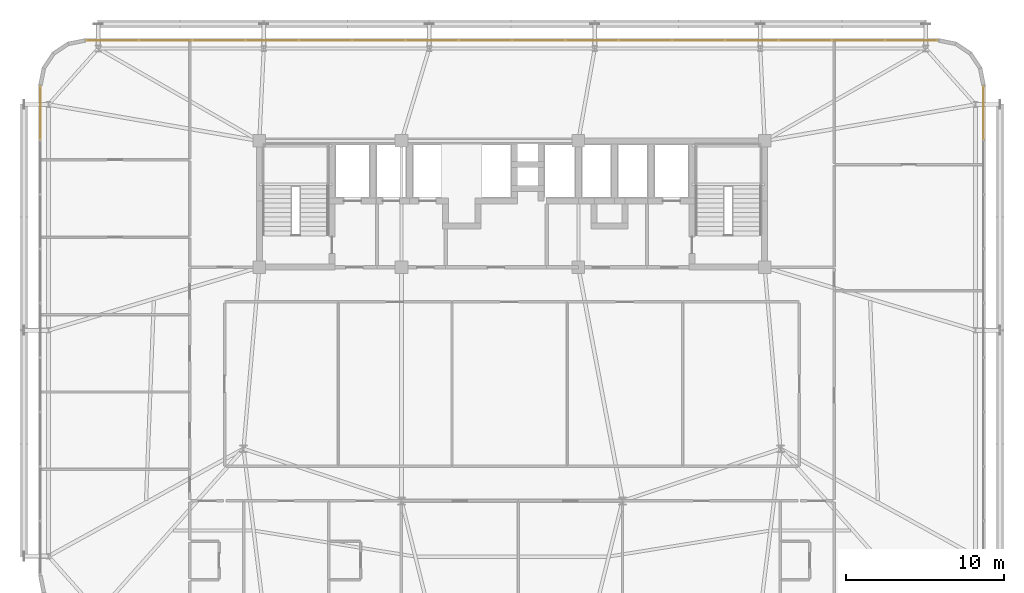
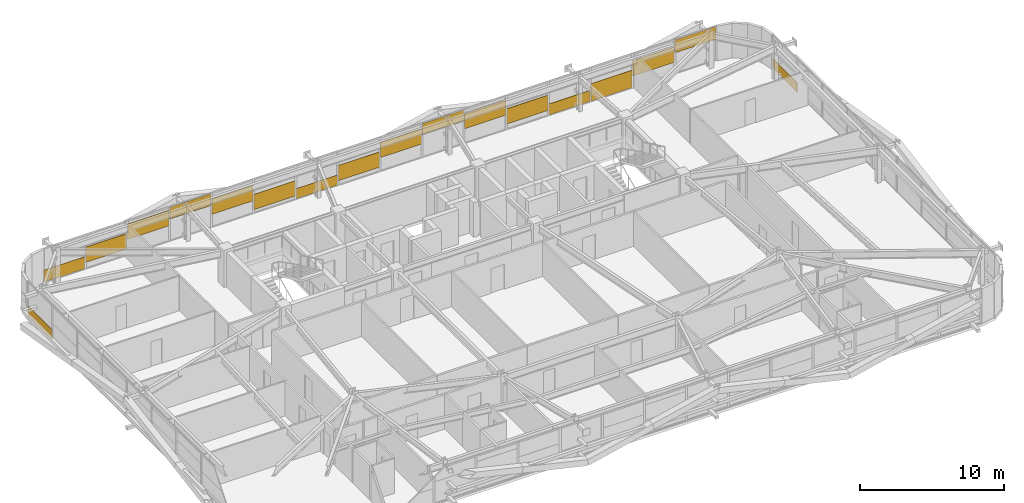
# One storey, part 58 of 58: 18 coverings.
"""IFC4 building model written with IfcOpenShell, lengths in metres."""

from ifc_helpers import new_model, si_unit, direction, frame, origin, origin_2d, place, context, subcontext, project, spatial, rectangle, extrude, source, transform, mapped, material, layer, layer_set, type_object, element, save


model = new_model("IFC4")

# Units and contexts
model_context = context("Model", 3, precision=1e-05, world=origin(), true_north=direction((0.0, 1.0)))
body_context = subcontext(model_context, "Body", "Model", "MODEL_VIEW")
ifc_project = project(units=[si_unit("LENGTHUNIT", "METRE"), si_unit("AREAUNIT", "SQUARE_METRE"), si_unit("VOLUMEUNIT", "CUBIC_METRE"), si_unit("PLANEANGLEUNIT", "RADIAN"), si_unit("MASSUNIT", "GRAM", prefix="KILO")], contexts=[model_context])

# Site, building, storey
site_placement = place(None, origin())
site = spatial("IfcSite", under=ifc_project, at=site_placement, CompositionType="ELEMENT")
building_placement = place(site_placement, origin())
building = spatial("IfcBuilding", under=site, at=building_placement, Name="Taldren Reach Tower", CompositionType="ELEMENT")
storey_placement = place(building_placement, frame((0.0, 0.0, 35.699951171875)))
storey = spatial("IfcBuildingStorey", under=building, at=storey_placement, Name="L10", CompositionType="ELEMENT", Elevation=35.699951171875)

# Coverings
ifc_material = material(Name="Pale Champagne Fluoropolymer Aluminium Spandrel Cladding", Category="aluminium")
ifc_layer = layer(ifc_material, 0.0439453125)
ifc_layer_set = layer_set([ifc_layer], Name="Pale Champagne Fluoropolymer Aluminium Spandrel Cladding")
covering_type = type_object("IfcCoveringType", Name="CV-CLAD-044", PredefinedType="CLADDING", material=ifc_layer_set)
shared_shape_1 = source(origin(), body_context, "Body", "SweptSolid", [
    extrude(rectangle(XDim=3.277587890625, YDim=0.0439453125, at=origin_2d()), origin(), (0.0, 0.0, 1.0), 1.081298828125),
])
covering_1_placement = place(storey_placement, frame((60.296142578125, 38.360107421875, 1.7939453125), z_axis=(0.0, 0.0, 1.0), x_axis=(-1.0, 0.0, 0.0)))
element("IfcCovering", 1, at=covering_1_placement, inside=storey, type_object=covering_type, Name="Diagrid closure cladding strip CW-2 panel 1.1 1", PredefinedType="CLADDING", context=body_context, shape_type="MappedRepresentation", body=[
    mapped(shared_shape_1, transform((0.0, 0.0, 0.0), scale=1.0)),
])
shared_shape_2 = source(origin(), body_context, "Body", "SweptSolid", [
    extrude(rectangle(XDim=3.31005859375, YDim=0.0439453125, at=origin_2d()), origin(), (0.0, 0.0, 1.0), 1.301025390625),
])
for number, where, z_axis, x_axis, name in (
    (2, (56.9375, 38.360107421875, 1.01123046875), (0.0, 0.0, 1.0), (-1.0, 0.0, 0.0), "Diagrid closure cladding strip CW-2 panel 2.1 1"),
    (3, (46.8125, 38.360107421875, 0.4755859375), (0.0, 0.0, 1.0), (-1.0, 0.0, 0.0), "Diagrid closure cladding strip CW-2 panel 5.1 1"),
    (4, (43.4375, 38.360107421875, 1.25830078125), (0.0, 0.0, 1.0), (-1.0, 0.0, 0.0), "Diagrid closure cladding strip CW-2 panel 6.1 1"),
    (5, (36.6875, 38.360107421875, 1.17578125), (0.0, 0.0, 1.0), (-1.0, 0.0, 0.0), "Diagrid closure cladding strip CW-2 panel 8.1 1"),
    (6, (33.3125, 38.360107421875, 0.39306640625), (0.0, 0.0, 1.0), (-1.0, 0.0, 0.0), "Diagrid closure cladding strip CW-2 panel 9.1 1"),
    (7, (26.5625, 38.360107421875, 0.31103515625), (0.0, 0.0, 1.0), (-1.0, 0.0, 0.0), "Diagrid closure cladding strip CW-2 panel 11.1 1"),
    (8, (23.1875, 38.360107421875, 1.09326171875), (0.0, 0.0, 1.0), (-1.0, 0.0, 0.0), "Diagrid closure cladding strip CW-2 panel 12.1 1"),
    (9, (16.4375, 38.360107421875, 1.34033203125), (0.0, 0.0, 1.0), (-1.0, 0.0, 0.0), "Diagrid closure cladding strip CW-2 panel 14.1 1"),
    (10, (13.0625, 38.360107421875, 0.55810546875), (0.0, 0.0, 1.0), (-1.0, 0.0, 0.0), "Diagrid closure cladding strip CW-2 panel 15.1 1"),
):
    element("IfcCovering", number, at=place(storey_placement, frame(where, z_axis=z_axis, x_axis=x_axis)), inside=storey, type_object=covering_type, Name=name, PredefinedType="CLADDING", context=body_context, shape_type="MappedRepresentation", body=[
        mapped(shared_shape_2, transform((0.0, 0.0, 0.0), scale=1.0)),
    ])
shared_shape_3 = source(origin(), body_context, "Body", "SweptSolid", [
    extrude(rectangle(XDim=3.31005859375, YDim=0.0439453125, at=origin_2d()), origin(), (0.0, 0.0, 1.0), 1.474609375),
])
covering_2_placement = place(storey_placement, frame((53.5625, 38.360107421875, 0.054931640625), z_axis=(0.0, 0.0, 1.0), x_axis=(-1.0, 0.0, 0.0)))
element("IfcCovering", 11, at=covering_2_placement, inside=storey, type_object=covering_type, Name="Diagrid closure cladding strip CW-2 panel 3.1 1", PredefinedType="CLADDING", context=body_context, shape_type="MappedRepresentation", body=[
    mapped(shared_shape_3, transform((0.0, 0.0, 0.0), scale=1.0)),
])
shared_shape_4 = source(origin(), body_context, "Body", "SweptSolid", [
    extrude(rectangle(XDim=3.31005859375, YDim=0.0439453125, at=origin_2d()), origin(), (0.0, 0.0, 1.0), 0.93896484375),
])
covering_3_placement = place(storey_placement, frame((50.1875, 38.360107421875, 0.05517578125), z_axis=(0.0, 0.0, 1.0), x_axis=(-1.0, 0.0, 0.0)))
element("IfcCovering", 12, at=covering_3_placement, inside=storey, type_object=covering_type, Name="Diagrid closure cladding strip CW-2 panel 4.1 1", PredefinedType="CLADDING", context=body_context, shape_type="MappedRepresentation", body=[
    mapped(shared_shape_4, transform((0.0, 0.0, 0.0), scale=1.0)),
])
shared_shape_5 = source(origin(), body_context, "Body", "SweptSolid", [
    extrude(rectangle(XDim=3.31005859375, YDim=0.0439453125, at=origin_2d()), origin(), (0.0, 0.0, 1.0), 0.916748046875),
])
covering_4_placement = place(storey_placement, frame((40.0625, 38.360107421875, 1.95849609375), z_axis=(0.0, 0.0, 1.0), x_axis=(-1.0, 0.0, 0.0)))
element("IfcCovering", 13, at=covering_4_placement, inside=storey, type_object=covering_type, Name="Diagrid closure cladding strip CW-2 panel 7.1 1", PredefinedType="CLADDING", context=body_context, shape_type="MappedRepresentation", body=[
    mapped(shared_shape_5, transform((0.0, 0.0, 0.0), scale=1.0)),
])
shared_shape_6 = source(origin(), body_context, "Body", "SweptSolid", [
    extrude(rectangle(XDim=3.31005859375, YDim=0.0439453125, at=origin_2d()), origin(), (0.0, 0.0, 1.0), 0.856689453125),
])
covering_5_placement = place(storey_placement, frame((29.9375, 38.360107421875, 0.05517578125), z_axis=(0.0, 0.0, 1.0), x_axis=(-1.0, 0.0, 0.0)))
element("IfcCovering", 14, at=covering_5_placement, inside=storey, type_object=covering_type, Name="Diagrid closure cladding strip CW-2 panel 10.1 1", PredefinedType="CLADDING", context=body_context, shape_type="MappedRepresentation", body=[
    mapped(shared_shape_6, transform((0.0, 0.0, 0.0), scale=1.0)),
])
shared_shape_7 = source(origin(), body_context, "Body", "SweptSolid", [
    extrude(rectangle(XDim=3.31005859375, YDim=0.0439453125, at=origin_2d()), origin(), (0.0, 0.0, 1.0), 0.9990234375),
])
covering_6_placement = place(storey_placement, frame((19.8125, 38.360107421875, 1.8759765625), z_axis=(0.0, 0.0, 1.0), x_axis=(-1.0, 0.0, 0.0)))
element("IfcCovering", 15, at=covering_6_placement, inside=storey, type_object=covering_type, Name="Diagrid closure cladding strip CW-2 panel 13.1 1", PredefinedType="CLADDING", context=body_context, shape_type="MappedRepresentation", body=[
    mapped(shared_shape_7, transform((0.0, 0.0, 0.0), scale=1.0)),
])
shared_shape_8 = source(origin(), body_context, "Body", "SweptSolid", [
    extrude(rectangle(XDim=3.277587890625, YDim=0.0439453125, at=origin_2d()), origin(), (0.0, 0.0, 1.0), 1.021240234375),
])
covering_7_placement = place(storey_placement, frame((9.703857421875, 38.360107421875, 0.05517578125), z_axis=(0.0, 0.0, 1.0), x_axis=(-1.0, 0.0, 0.0)))
element("IfcCovering", 16, at=covering_7_placement, inside=storey, type_object=covering_type, Name="Diagrid closure cladding strip CW-2 panel 16.1 1", PredefinedType="CLADDING", context=body_context, shape_type="MappedRepresentation", body=[
    mapped(shared_shape_8, transform((0.0, 0.0, 0.0), scale=1.0)),
])
shared_shape_9 = source(origin(), body_context, "Body", "SweptSolid", [
    extrude(rectangle(XDim=3.346923828125, YDim=0.0439453125, at=origin_2d()), origin(), (0.0, 0.0, 1.0), 0.804443359375),
])
for number, where, z_axis, x_axis, name in (
    (17, (5.139892578125, 33.761474609375, 0.05517578125), (0.0, 0.0, 1.0), (0.0, -1.0, 0.0), "Diagrid closure cladding strip CW-2 panel 1.1 1"),
    (18, (64.860107421875, 33.761474609375, 0.05517578125), (0.0, 0.0, 1.0), (0.0, 1.0, 0.0), "Diagrid closure cladding strip CW-2 panel 9.1 1"),
):
    element("IfcCovering", number, at=place(storey_placement, frame(where, z_axis=z_axis, x_axis=x_axis)), inside=storey, type_object=covering_type, Name=name, PredefinedType="CLADDING", context=body_context, shape_type="MappedRepresentation", body=[
        mapped(shared_shape_9, transform((0.0, 0.0, 0.0), scale=1.0)),
    ])

save(model, "model.ifc")
